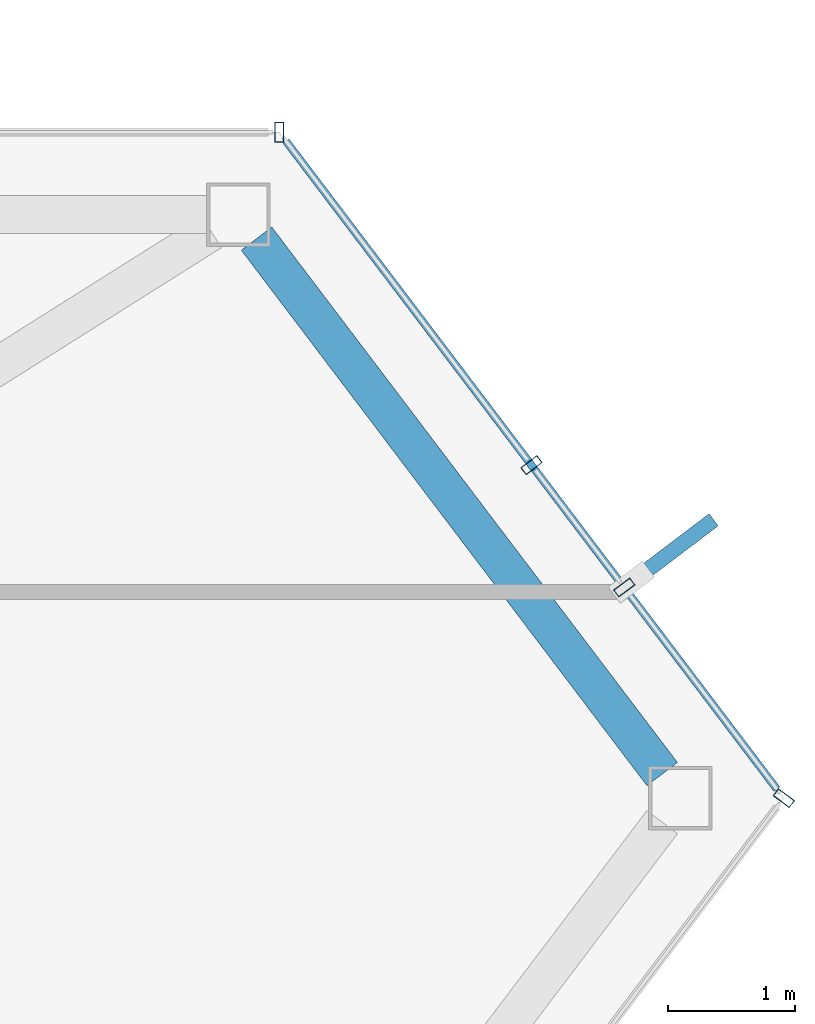
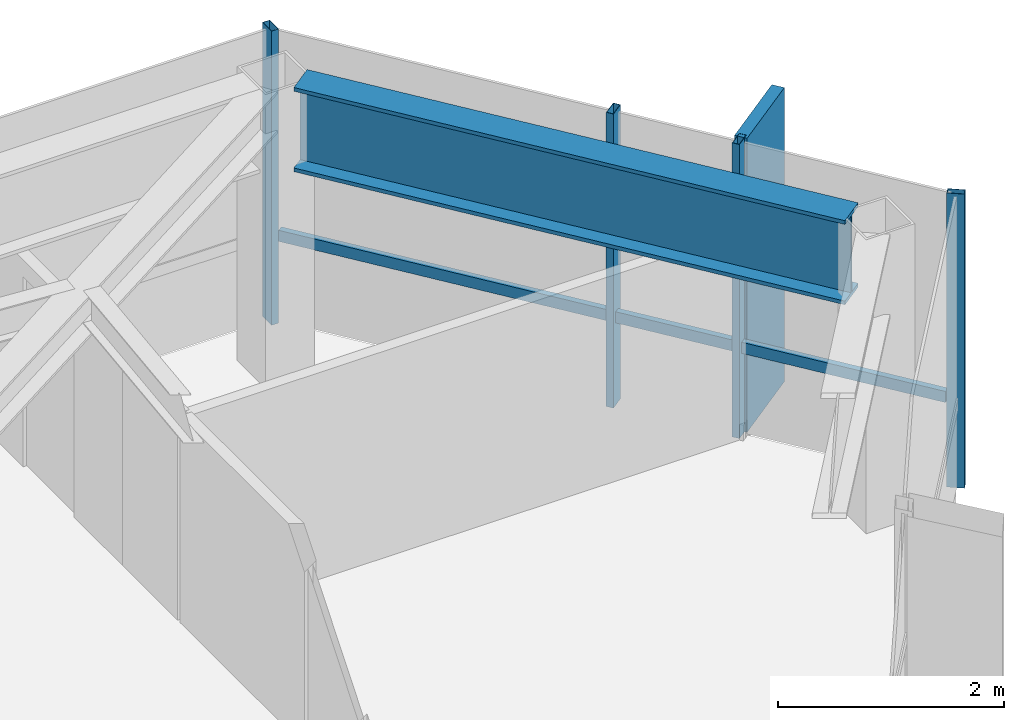
# One storey, part 20 of 26: 6 members, 1 beam, 3 elements without a shape of their own.
"""IFC4 building model written with IfcOpenShell, lengths in metres."""

from ifc_helpers import new_model, si_unit, direction, frame, origin, origin_2d, place, context, subcontext, project, spatial, rectangle, hollow_rectangle, i_section, extrude, material, layer, layer_set, material_profile, profile_set, type_object, element, aggregate, save


model = new_model("IFC4")

# Units and contexts
model_context = context("Model", 3, precision=1e-05, world=origin(), true_north=direction((0.0, 1.0)))
body_context = subcontext(model_context, "Body", "Model", "MODEL_VIEW")
ifc_project = project(units=[si_unit("LENGTHUNIT", "METRE"), si_unit("AREAUNIT", "SQUARE_METRE"), si_unit("VOLUMEUNIT", "CUBIC_METRE"), si_unit("PLANEANGLEUNIT", "RADIAN"), si_unit("MASSUNIT", "GRAM", prefix="KILO")], contexts=[model_context])

# Site, building, storey
site_placement = place(None, origin())
site = spatial("IfcSite", under=ifc_project, at=site_placement, CompositionType="ELEMENT")
building_placement = place(site_placement, origin())
building = spatial("IfcBuilding", under=site, at=building_placement, Name="Zarrinselat Tower", CompositionType="ELEMENT")
storey_placement = place(building_placement, frame((0.0, 0.0, 258.39990234375)))
storey = spatial("IfcBuildingStorey", under=building, at=storey_placement, Name="L65", CompositionType="ELEMENT", Elevation=258.39990234375)

# Beam
ifc_material_1 = material(Name="Steel S460M", Category="steel")
ifc_material_profile_1 = material_profile(ifc_material_1, i_section(OverallWidth=0.302001953125, OverallDepth=0.909912109375, WebThickness=0.02099609375, FlangeThickness=0.0400390625, at=origin_2d()), Name="HEM 900")
ifc_profile_set_1 = profile_set([ifc_material_profile_1], Name="Steel S460M")
beam_type = type_object("IfcBeamType", Name="BM-HEM900", PredefinedType="BEAM", material=ifc_profile_set_1)
beam_placement = place(storey_placement, frame((57.09521484375, 47.027099609375, 2.72509765625), z_axis=(0.603878091551, -0.797076690504, 0.0), x_axis=(0.797076690504, 0.603878091551, 0.0)))
element("IfcBeam", 1, at=beam_placement, inside=storey, type_object=beam_type, Name="L65 Perimeter Spandrel Girder SP15", PredefinedType="BEAM", context=body_context, shape_type="SweptSolid", body=[
    extrude(i_section(OverallWidth=0.302001953125, OverallDepth=0.909912109375, WebThickness=0.02099609375, FlangeThickness=0.0400390625, at=origin_2d()), origin(), (0.0, 0.0, 1.0), 5.298583984375),
])

# Curtain wall, member
ifc_material_2 = material(Name="Extruded Aluminium Alloy EN AW-6063 T6", Category="aluminium")
ifc_layer = layer(ifc_material_2, 0.169921875)
ifc_layer_set = layer_set([ifc_layer], Name="Extruded Aluminium Alloy EN AW-6063 T6")
curtain_wall_type = type_object("IfcCurtainWallType", Name="CWS-RES", PredefinedType="NOTDEFINED", material=ifc_layer_set)
curtain_wall_1_placement = place(storey_placement, origin())
curtain_wall_1 = element("IfcCurtainWall", 2, at=curtain_wall_1_placement, inside=storey, type_object=curtain_wall_type, Name="L65 Unitised Curtain Wall CW-L65-E01", PredefinedType="NOTDEFINED")
ifc_material_3 = material(Name="Extruded Aluminium Alloy EN AW-6063 T6", Category="aluminium")
ifc_material_profile_2 = material_profile(ifc_material_3, hollow_rectangle(XDim=0.070068359375, YDim=0.159912109375, WallThickness=0.00390625, at=origin_2d()), Name="RHS 160x70x4")
ifc_profile_set_2 = profile_set([ifc_material_profile_2], Name="Extruded Aluminium Alloy EN AW-6063 T6")
member_type_1 = type_object("IfcMemberType", Name="MEM-CW-MUL2", PredefinedType="MULLION", material=ifc_profile_set_2)
member_1_placement = place(storey_placement, frame((57.274658203125, 47.86669921875, 0.0), z_axis=(0.0, 0.0, 1.0), x_axis=(-1.0, 0.0, 0.0)))
member_1 = element("IfcMember", 3, at=member_1_placement, type_object=member_type_1, Name="CW-L65-E01 Mullion 0", PredefinedType="MULLION", context=body_context, shape_type="SweptSolid", body=[
    extrude(hollow_rectangle(XDim=0.070068359375, YDim=0.159912109375, WallThickness=0.00390625, at=origin_2d()), origin(), (0.0, 0.0, 1.0), 3.18017578125),
])
aggregate(curtain_wall_1, [member_1])

curtain_wall_2_placement = place(storey_placement, origin())
curtain_wall_2 = element("IfcCurtainWall", 4, at=curtain_wall_2_placement, inside=storey, type_object=curtain_wall_type, Name="L65 Unitised Curtain Wall CW-L65-E05", PredefinedType="NOTDEFINED")
member_2_placement = place(storey_placement, frame((61.25390625, 42.614013671875, 0.0), z_axis=(0.0, 0.0, 1.0), x_axis=(0.603859570382, 0.7970907221, 0.0)))
member_2 = element("IfcMember", 5, at=member_2_placement, type_object=member_type_1, Name="CW-L65-E05 Mullion 10", PredefinedType="MULLION", context=body_context, shape_type="SweptSolid", body=[
    extrude(hollow_rectangle(XDim=0.070068359375, YDim=0.159912109375, WallThickness=0.00390625, at=origin_2d()), origin(), (0.0, 0.0, 1.0), 3.18017578125),
])
aggregate(curtain_wall_2, [member_2])

# Curtain wall, members
curtain_wall_3_placement = place(storey_placement, origin())
curtain_wall_3 = element("IfcCurtainWall", 6, at=curtain_wall_3_placement, inside=storey, type_object=curtain_wall_type, Name="L65 Unitised Curtain Wall CW-L65-E06", PredefinedType="NOTDEFINED")
member_3_placement = place(storey_placement, frame((59.99560546875, 44.275146484375, 0.0), z_axis=(0.0, 0.0, 1.0), x_axis=(-0.603858272322, 0.797091705482, 0.0)))
member_3 = element("IfcMember", 7, at=member_3_placement, type_object=member_type_1, Name="CW-L65-E06 Mullion 1", PredefinedType="MULLION", context=body_context, shape_type="SweptSolid", body=[
    extrude(hollow_rectangle(XDim=0.070068359375, YDim=0.159912109375, WallThickness=0.00390625, at=origin_2d()), origin(), (0.0, 0.0, 1.0), 3.18017578125),
])
member_4_placement = place(storey_placement, frame((59.264404296875, 45.240234375, 0.0), z_axis=(0.0, 0.0, 1.0), x_axis=(-0.603858272322, 0.797091705482, 0.0)))
member_4 = element("IfcMember", 8, at=member_4_placement, type_object=member_type_1, Name="CW-L65-E06 Mullion 2", PredefinedType="MULLION", context=body_context, shape_type="SweptSolid", body=[
    extrude(hollow_rectangle(XDim=0.070068359375, YDim=0.159912109375, WallThickness=0.00390625, at=origin_2d()), origin(), (0.0, 0.0, 1.0), 3.18017578125),
])
ifc_material_4 = material(Name="Extruded Aluminium Alloy EN AW-6063 T6", Category="aluminium")
ifc_material_profile_3 = material_profile(ifc_material_4, hollow_rectangle(XDim=0.06005859375, YDim=0.1201171875, WallThickness=0.00390625, at=origin_2d()), Name="RHS 120x60x4")
ifc_profile_set_3 = profile_set([ifc_material_profile_3], Name="Extruded Aluminium Alloy EN AW-6063 T6")
member_type_2 = type_object("IfcMemberType", Name="MEM-CW-TRN2", PredefinedType="USERDEFINED", material=ifc_profile_set_3)
member_5_placement = place(storey_placement, frame((61.19970703125, 42.685546875, 0.9501953125), z_axis=(-0.60386868738, 0.797083815168, 0.0), x_axis=(-0.797083815168, -0.60386868738, 0.0)))
member_5 = element("IfcMember", 9, at=member_5_placement, type_object=member_type_2, Name="CW-L65-E06 Transom 1", ObjectType="TRANSOM", PredefinedType="USERDEFINED", context=body_context, shape_type="SweptSolid", body=[
    extrude(hollow_rectangle(XDim=0.06005859375, YDim=0.1201171875, WallThickness=0.00390625, at=origin_2d()), origin(), (0.0, 0.0, 1.0), 6.41015625),
])
ifc_material_5 = material(Name="Honed Cream Travertine Stone", Category="masonry")
ifc_material_profile_4 = material_profile(ifc_material_5, rectangle(XDim=0.1201171875, YDim=0.85009765625, at=origin_2d()), Name="FIN 850x120")
ifc_profile_set_4 = profile_set([ifc_material_profile_4], Name="Honed Cream Travertine Stone")
member_type_3 = type_object("IfcMemberType", Name="MEM-STONE-FIN", PredefinedType="USERDEFINED", material=ifc_profile_set_4)
member_6_placement = place(storey_placement, frame((60.3623046875, 44.552978515625, 0.0), z_axis=(0.0, 0.0, 1.0), x_axis=(0.603858272322, -0.797091705482, 0.0)))
member_6 = element("IfcMember", 10, at=member_6_placement, type_object=member_type_3, Name="L65 Stone Shading Fin CW-L65-E06-01", ObjectType="FIN", PredefinedType="USERDEFINED", context=body_context, shape_type="SweptSolid", body=[
    extrude(rectangle(XDim=0.1201171875, YDim=0.85009765625, at=origin_2d()), origin(), (0.0, 0.0, 1.0), 3.18017578125),
])
aggregate(curtain_wall_3, [member_3, member_6, member_4, member_5])

save(model, "model.ifc")
